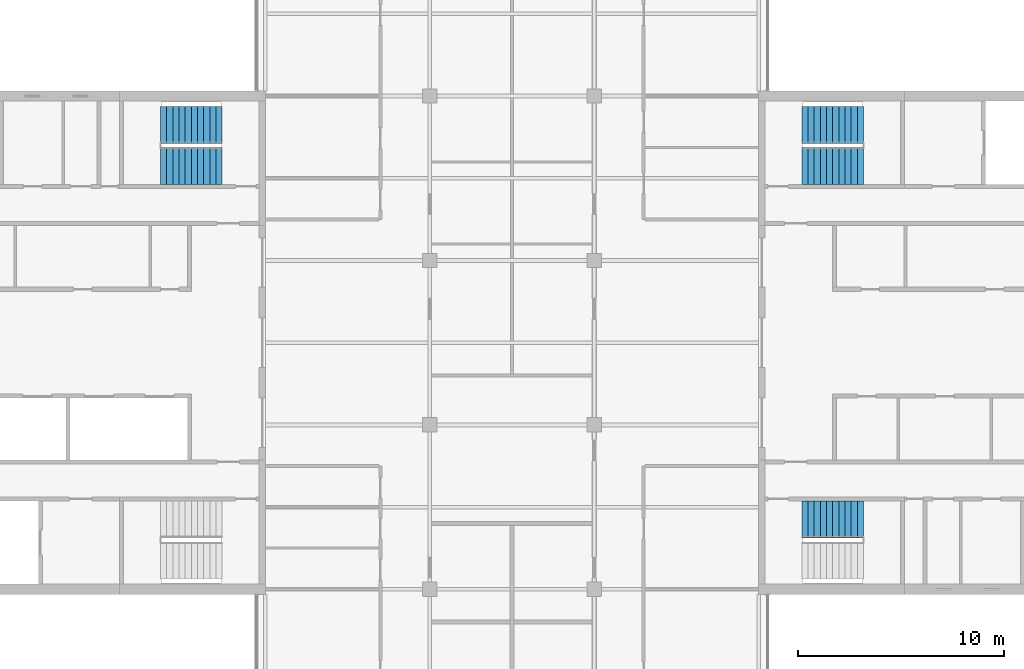
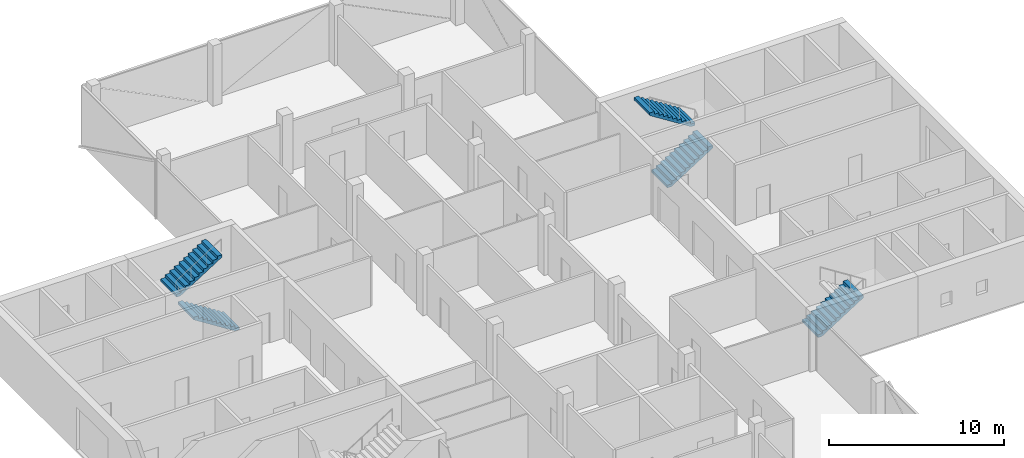
# One storey, part 13 of 16: 5 stair flights, 3 elements without a shape of their own.
"""IFC4 building model written with IfcOpenShell, lengths in metres."""

from ifc_helpers import new_model, si_unit, direction, frame, origin, place, context, subcontext, project, spatial, polyline, outline, extrude, material, type_object, element, aggregate, save


model = new_model("IFC4")

# Units and contexts
model_context = context("Model", 3, precision=1e-05, world=origin(), true_north=direction((0.0, 1.0)))
body_context = subcontext(model_context, "Body", "Model", "MODEL_VIEW")
ifc_project = project(units=[si_unit("LENGTHUNIT", "METRE"), si_unit("AREAUNIT", "SQUARE_METRE"), si_unit("VOLUMEUNIT", "CUBIC_METRE"), si_unit("PLANEANGLEUNIT", "RADIAN"), si_unit("MASSUNIT", "GRAM", prefix="KILO")], contexts=[model_context])

# Site, building, storey
site_placement = place(None, origin())
site = spatial("IfcSite", under=ifc_project, at=site_placement, CompositionType="ELEMENT")
building_placement = place(site_placement, origin())
building = spatial("IfcBuilding", under=site, at=building_placement, Name="Crosswind Convention Tower", CompositionType="ELEMENT")
storey_placement = place(building_placement, frame((0.0, 0.0, 270.300048828125)))
storey = spatial("IfcBuildingStorey", under=building, at=storey_placement, Name="L58", CompositionType="ELEMENT", Elevation=270.300048828125)

# Stair, stair flights
ifc_material = material(Name="Concrete C40/50", Category="concrete")
stair_type = type_object("IfcStairType", Name="Exit stair 1800 wide, 2 flights of 11 risers", PredefinedType="HALF_TURN_STAIR", material=ifc_material)
stair_1_placement = place(storey_placement, origin())
stair_1 = element("IfcStair", 1, at=stair_1_placement, inside=storey, type_object=stair_type, Name="Exit stair ST1 L58", ObjectType="ST5", PredefinedType="HALF_TURN_STAIR")
stair_flight_type = type_object("IfcStairFlightType", Name="Stair flight 1800 wide, 11 risers (SF4)", PredefinedType="STRAIGHT", material=ifc_material)
stair_flight_1_placement = place(storey_placement, frame((139.10009765625, 108.60009765625, 0.0), z_axis=(0.0, 0.0, 1.0), x_axis=(1.0, 0.0, 0.0)))
stair_flight_1 = element("IfcStairFlight", 2, at=stair_flight_1_placement, type_object=stair_flight_type, Name="ST1 flight 1", NumberOfRisers=11, NumberOfTreads=10, PredefinedType="STRAIGHT", RiserHeight=0.190909091, TreadLength=0.3, context=body_context, shape_type="SweptSolid", body=[
    extrude(outline(polyline([(0.0, 0.0), (0.0, 0.19091796875), (0.300048828125, 0.19091796875), (0.300048828125, 0.3818359375), (0.60009765625, 0.3818359375), (0.60009765625, 0.57275390625), (0.89990234375, 0.57275390625), (0.89990234375, 0.763671875), (1.199951171875, 0.763671875), (1.199951171875, 0.95458984375), (1.5, 0.95458984375), (1.5, 1.1455078125), (1.800048828125, 1.1455078125), (1.800048828125, 1.33642578125), (2.10009765625, 1.33642578125), (2.10009765625, 1.52734375), (2.39990234375, 1.52734375), (2.39990234375, 1.71826171875), (2.699951171875, 1.71826171875), (2.699951171875, 1.9091796875), (3.0, 1.9091796875), (3.0, 2.10009765625), (3.0, 1.7314453125), (0.279296875, 0.0), (0.0, 0.0)])), frame((0.0, 0.89990234375, 0.0), z_axis=(0.0, -1.0, 0.0), x_axis=(1.0, 0.0, 0.0)), (0.0, 0.0, 1.0), 1.800048828125),
])
stair_flight_2_placement = place(storey_placement, frame((142.10009765625, 110.60009765625, 2.099853515625), z_axis=(0.0, 0.0, 1.0), x_axis=(-1.0, 0.0, 0.0)))
stair_flight_2 = element("IfcStairFlight", 3, at=stair_flight_2_placement, type_object=stair_flight_type, Name="ST1 flight 2", NumberOfRisers=11, NumberOfTreads=10, PredefinedType="STRAIGHT", RiserHeight=0.190909091, TreadLength=0.3, context=body_context, shape_type="SweptSolid", body=[
    extrude(outline(polyline([(0.0, 0.0), (0.0, 0.19091796875), (0.300048828125, 0.19091796875), (0.300048828125, 0.3818359375), (0.60009765625, 0.3818359375), (0.60009765625, 0.57275390625), (0.89990234375, 0.57275390625), (0.89990234375, 0.763671875), (1.199951171875, 0.763671875), (1.199951171875, 0.95458984375), (1.5, 0.95458984375), (1.5, 1.1455078125), (1.800048828125, 1.1455078125), (1.800048828125, 1.33642578125), (2.10009765625, 1.33642578125), (2.10009765625, 1.52734375), (2.39990234375, 1.52734375), (2.39990234375, 1.71826171875), (2.699951171875, 1.71826171875), (2.699951171875, 1.9091796875), (3.0, 1.9091796875), (3.0, 2.10009765625), (3.0, 1.7314453125), (0.279296875, 0.0), (0.0, 0.0)])), frame((0.0, 0.89990234375, 0.0), z_axis=(0.0, -1.0, 0.0), x_axis=(1.0, 0.0, 0.0)), (0.0, 0.0, 1.0), 1.800048828125),
])
aggregate(stair_1, [stair_flight_1, stair_flight_2])

# Stair, stair flight
stair_2_placement = place(storey_placement, origin())
stair_2 = element("IfcStair", 4, at=stair_2_placement, inside=storey, type_object=stair_type, Name="Exit stair ST2 L58", ObjectType="ST5", PredefinedType="HALF_TURN_STAIR")
stair_flight_3_placement = place(storey_placement, frame((139.10009765625, 91.39990234375, 0.0), z_axis=(0.0, 0.0, 1.0), x_axis=(1.0, 0.0, 0.0)))
stair_flight_3 = element("IfcStairFlight", 5, at=stair_flight_3_placement, type_object=stair_flight_type, Name="ST2 flight 1", NumberOfRisers=11, NumberOfTreads=10, PredefinedType="STRAIGHT", RiserHeight=0.190909091, TreadLength=0.3, context=body_context, shape_type="SweptSolid", body=[
    extrude(outline(polyline([(0.0, 0.0), (0.0, 0.19091796875), (0.300048828125, 0.19091796875), (0.300048828125, 0.3818359375), (0.60009765625, 0.3818359375), (0.60009765625, 0.57275390625), (0.89990234375, 0.57275390625), (0.89990234375, 0.763671875), (1.199951171875, 0.763671875), (1.199951171875, 0.95458984375), (1.5, 0.95458984375), (1.5, 1.1455078125), (1.800048828125, 1.1455078125), (1.800048828125, 1.33642578125), (2.10009765625, 1.33642578125), (2.10009765625, 1.52734375), (2.39990234375, 1.52734375), (2.39990234375, 1.71826171875), (2.699951171875, 1.71826171875), (2.699951171875, 1.9091796875), (3.0, 1.9091796875), (3.0, 2.10009765625), (3.0, 1.7314453125), (0.279296875, 0.0), (0.0, 0.0)])), frame((0.0, 0.89990234375, 0.0), z_axis=(0.0, -1.0, 0.0), x_axis=(1.0, 0.0, 0.0)), (0.0, 0.0, 1.0), 1.800048828125),
])
aggregate(stair_2, [stair_flight_3])

# Stair, stair flights
stair_3_placement = place(storey_placement, origin())
stair_3 = element("IfcStair", 6, at=stair_3_placement, inside=storey, type_object=stair_type, Name="Exit stair ST4 L58", ObjectType="ST5", PredefinedType="HALF_TURN_STAIR")
stair_flight_4_placement = place(storey_placement, frame((110.89990234375, 108.60009765625, 0.0), z_axis=(0.0, 0.0, 1.0), x_axis=(-1.0, 0.0, 0.0)))
stair_flight_4 = element("IfcStairFlight", 7, at=stair_flight_4_placement, type_object=stair_flight_type, Name="ST4 flight 1", NumberOfRisers=11, NumberOfTreads=10, PredefinedType="STRAIGHT", RiserHeight=0.190909091, TreadLength=0.3, context=body_context, shape_type="SweptSolid", body=[
    extrude(outline(polyline([(0.0, 0.0), (0.0, 0.19091796875), (0.300048828125, 0.19091796875), (0.300048828125, 0.3818359375), (0.60009765625, 0.3818359375), (0.60009765625, 0.57275390625), (0.89990234375, 0.57275390625), (0.89990234375, 0.763671875), (1.199951171875, 0.763671875), (1.199951171875, 0.95458984375), (1.5, 0.95458984375), (1.5, 1.1455078125), (1.800048828125, 1.1455078125), (1.800048828125, 1.33642578125), (2.10009765625, 1.33642578125), (2.10009765625, 1.52734375), (2.39990234375, 1.52734375), (2.39990234375, 1.71826171875), (2.699951171875, 1.71826171875), (2.699951171875, 1.9091796875), (3.0, 1.9091796875), (3.0, 2.10009765625), (3.0, 1.7314453125), (0.279296875, 0.0), (0.0, 0.0)])), frame((0.0, 0.89990234375, 0.0), z_axis=(0.0, -1.0, 0.0), x_axis=(1.0, 0.0, 0.0)), (0.0, 0.0, 1.0), 1.800048828125),
])
stair_flight_5_placement = place(storey_placement, frame((107.89990234375, 110.60009765625, 2.099853515625), z_axis=(0.0, 0.0, 1.0), x_axis=(1.0, 0.0, 0.0)))
stair_flight_5 = element("IfcStairFlight", 8, at=stair_flight_5_placement, type_object=stair_flight_type, Name="ST4 flight 2", NumberOfRisers=11, NumberOfTreads=10, PredefinedType="STRAIGHT", RiserHeight=0.190909091, TreadLength=0.3, context=body_context, shape_type="SweptSolid", body=[
    extrude(outline(polyline([(0.0, 0.0), (0.0, 0.19091796875), (0.300048828125, 0.19091796875), (0.300048828125, 0.3818359375), (0.60009765625, 0.3818359375), (0.60009765625, 0.57275390625), (0.89990234375, 0.57275390625), (0.89990234375, 0.763671875), (1.199951171875, 0.763671875), (1.199951171875, 0.95458984375), (1.5, 0.95458984375), (1.5, 1.1455078125), (1.800048828125, 1.1455078125), (1.800048828125, 1.33642578125), (2.10009765625, 1.33642578125), (2.10009765625, 1.52734375), (2.39990234375, 1.52734375), (2.39990234375, 1.71826171875), (2.699951171875, 1.71826171875), (2.699951171875, 1.9091796875), (3.0, 1.9091796875), (3.0, 2.10009765625), (3.0, 1.7314453125), (0.279296875, 0.0), (0.0, 0.0)])), frame((0.0, 0.89990234375, 0.0), z_axis=(0.0, -1.0, 0.0), x_axis=(1.0, 0.0, 0.0)), (0.0, 0.0, 1.0), 1.800048828125),
])
aggregate(stair_3, [stair_flight_4, stair_flight_5])

save(model, "model.ifc")
